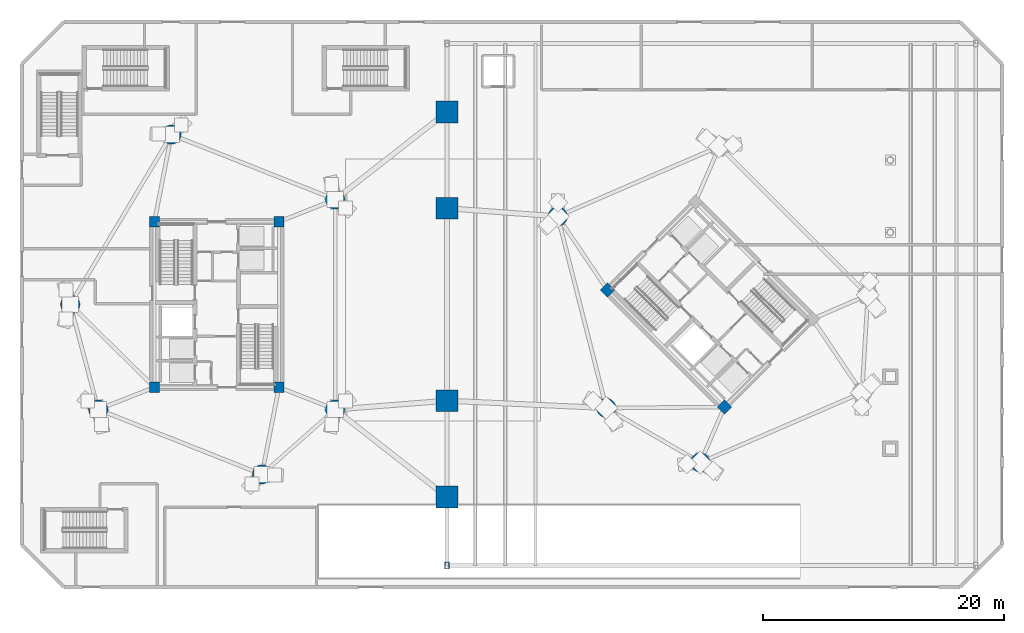
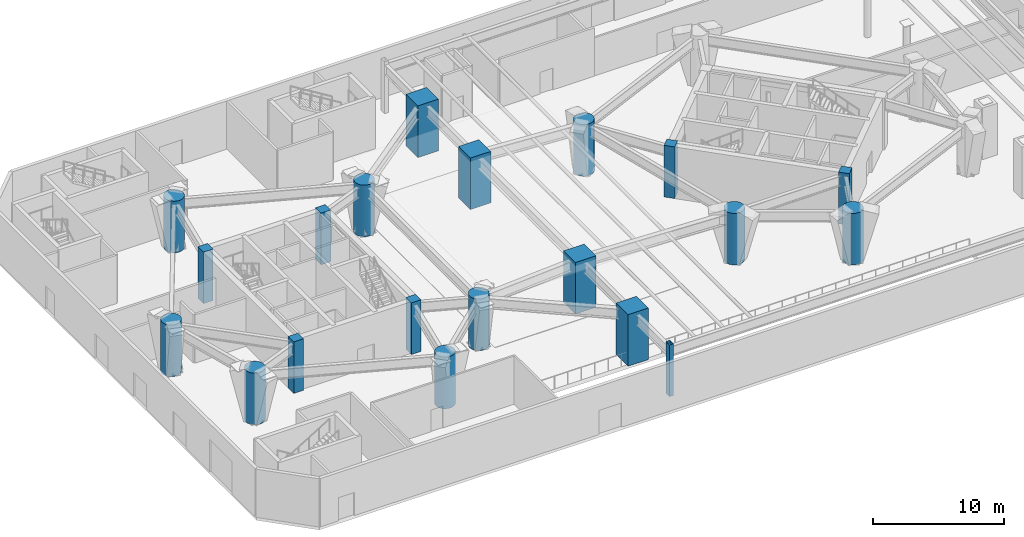
# One storey, part 1 of 17: 20 columns.
"""IFC4 building model written with IfcOpenShell, lengths in metres."""

from ifc_helpers import new_model, si_unit, direction, frame, origin, origin_2d, place, context, subcontext, project, spatial, rectangle, hollow_rectangle, circle, extrude, material, material_profile, profile_set, type_object, element, save


model = new_model("IFC4")

# Units and contexts
model_context = context("Model", 3, precision=1e-05, world=origin(), true_north=direction((0.0, 1.0)))
body_context = subcontext(model_context, "Body", "Model", "MODEL_VIEW")
ifc_project = project(units=[si_unit("LENGTHUNIT", "METRE"), si_unit("AREAUNIT", "SQUARE_METRE"), si_unit("VOLUMEUNIT", "CUBIC_METRE"), si_unit("PLANEANGLEUNIT", "RADIAN"), si_unit("MASSUNIT", "GRAM", prefix="KILO")], contexts=[model_context])

# Site, building, storey
site_placement = place(None, origin())
site = spatial("IfcSite", under=ifc_project, at=site_placement, CompositionType="ELEMENT")
building_placement = place(site_placement, origin())
building = spatial("IfcBuilding", under=site, at=building_placement, Name="Cununo Teusaquillo Station Towers", CompositionType="ELEMENT")
storey_placement = place(building_placement, origin())
storey = spatial("IfcBuildingStorey", under=building, at=storey_placement, Name="L00", CompositionType="ELEMENT", Elevation=0.0)

# Columns
ifc_material_1 = material(Name="Concrete C50/60", Category="concrete")
ifc_material_profile_1 = material_profile(ifc_material_1, rectangle(XDim=0.85009765625, YDim=0.85009765625, at=origin_2d()), Name="RC-RECT-850x850")
ifc_profile_set_1 = profile_set([ifc_material_profile_1], Name="Concrete C50/60")
column_type_1 = type_object("IfcColumnType", Name="COL-CORE-Z1", PredefinedType="COLUMN", material=ifc_profile_set_1)
for number, where, z_axis, x_axis, name in (
    (1, (11.324951171875, 17.6201171875, 0.0), (0.0, 0.0, 1.0), (1.0, 0.0, 0.0), "L00 Tower A Core Column 1"),
    (2, (11.324951171875, 31.3798828125, 0.0), (0.0, 0.0, 1.0), (1.0, 0.0, 0.0), "L00 Tower A Core Column 2"),
    (3, (21.675048828125, 17.6201171875, 0.0), (0.0, 0.0, 1.0), (1.0, 0.0, 0.0), "L00 Tower A Core Column 3"),
    (4, (21.675048828125, 31.3798828125, 0.0), (0.0, 0.0, 1.0), (1.0, 0.0, 0.0), "L00 Tower A Core Column 4"),
    (5, (58.70556640625, 15.975830078125, 0.0), (0.0, 0.0, 1.0), (0.707106781187, 0.707106781187, 0.0), "L00 Tower B Core Column 1"),
    (6, (48.975830078125, 25.70556640625, 0.0), (0.0, 0.0, 1.0), (0.707106781187, 0.707106781187, 0.0), "L00 Tower B Core Column 2"),
):
    element("IfcColumn", number, at=place(storey_placement, frame(where, z_axis=z_axis, x_axis=x_axis)), inside=storey, type_object=column_type_1, Name=name, PredefinedType="COLUMN", context=body_context, shape_type="SweptSolid", body=[
        extrude(rectangle(XDim=0.85009765625, YDim=0.85009765625, at=origin_2d()), origin(), (0.0, 0.0, 1.0), 4.800048828125),
    ])
ifc_material_2 = material(Name="Concrete C60/75", Category="concrete")
ifc_material_profile_2 = material_profile(ifc_material_2, circle(Radius=0.800048828125, at=origin_2d()), Name="RC-CIRC-1600")
ifc_profile_set_2 = profile_set([ifc_material_profile_2], Name="Concrete C60/75")
column_type_2 = type_object("IfcColumnType", Name="COL-MEGA-POD", PredefinedType="USERDEFINED", material=ifc_profile_set_2)
for number, where, z_axis, x_axis, name in (
    (7, (26.347412109375, 33.228515625, 0.0), (0.0, 0.0, 1.0), (1.0, 0.0, 0.0), "L00 Tower A Perimeter Column V02"),
    (8, (12.738525390625, 38.623291015625, 0.0), (0.0, 0.0, 1.0), (1.0, 0.0, 0.0), "L00 Tower A Perimeter Column V06"),
    (9, (4.327880859375, 24.5, 0.0), (0.0, 0.0, 1.0), (1.0, 0.0, 0.0), "L00 Tower A Perimeter Column V10"),
    (10, (6.652587890625, 15.771484375, 0.0), (0.0, 0.0, 1.0), (1.0, 0.0, 0.0), "L00 Tower A Perimeter Column V12"),
    (11, (20.261474609375, 10.376708984375, 0.0), (0.0, 0.0, 1.0), (1.0, 0.0, 0.0), "L00 Tower A Perimeter Column V16"),
    (12, (26.347412109375, 15.771484375, 0.0), (0.0, 0.0, 1.0), (1.0, 0.0, 0.0), "L00 Tower A Perimeter Column V18"),
    (13, (44.853759765625, 31.826904296875, 0.0), (0.0, 0.0, 1.0), (1.0, 0.0, 0.0), "L00 Tower B Perimeter Column V06"),
    (14, (48.89306640625, 15.89306640625, 0.0), (0.0, 0.0, 1.0), (1.0, 0.0, 0.0), "L00 Tower B Perimeter Column V10"),
    (15, (56.708984375, 11.36474609375, 0.0), (0.0, 0.0, 1.0), (1.0, 0.0, 0.0), "L00 Tower B Perimeter Column V12"),
):
    element("IfcColumn", number, at=place(storey_placement, frame(where, z_axis=z_axis, x_axis=x_axis)), inside=storey, type_object=column_type_2, Name=name, ObjectType="MEGA COLUMN", PredefinedType="USERDEFINED", context=body_context, shape_type="SweptSolid", body=[
        extrude(circle(Radius=0.800048828125, at=origin_2d()), origin(), (0.0, 0.0, 1.0), 4.800048828125),
    ])
ifc_material_3 = material(Name="Steel ASTM A572 Grade 50", Category="steel")
ifc_material_profile_3 = material_profile(ifc_material_3, hollow_rectangle(XDim=0.35009765625, YDim=0.550048828125, WallThickness=0.02197265625, at=origin_2d()), Name="RHS 550x350x22")
ifc_profile_set_3 = profile_set([ifc_material_profile_3], Name="Steel ASTM A572 Grade 50")
column_type_3 = type_object("IfcColumnType", Name="COL-PILASTER", PredefinedType="PILASTER", material=ifc_profile_set_3)
column_placement = place(storey_placement, frame((35.64990234375, 2.800048828125, 0.0), z_axis=(0.0, 0.0, 1.0), x_axis=(1.0, 0.0, 0.0)))
element("IfcColumn", 16, at=column_placement, inside=storey, type_object=column_type_3, Name="L00 Station Hall Pilaster PIL-SW", PredefinedType="PILASTER", context=body_context, shape_type="SweptSolid", body=[
    extrude(hollow_rectangle(XDim=0.35009765625, YDim=0.550048828125, WallThickness=0.02197265625, at=origin_2d()), origin(), (0.0, 0.0, 1.0), 4.800048828125),
])
ifc_material_4 = material(Name="Concrete C60/75", Category="concrete")
ifc_material_profile_4 = material_profile(ifc_material_4, rectangle(XDim=1.800048828125, YDim=1.800048828125, at=origin_2d()), Name="RC-RECT-1800x1800")
ifc_profile_set_4 = profile_set([ifc_material_profile_4], Name="Concrete C60/75")
column_type_4 = type_object("IfcColumnType", Name="COL-POD-MEGA", PredefinedType="USERDEFINED", material=ifc_profile_set_4)
for number, where, z_axis, x_axis, name in (
    (17, (35.64990234375, 8.5, 0.0), (0.0, 0.0, 1.0), (1.0, 0.0, 0.0), "L00 Station Mega-Column PMC-S"),
    (18, (35.64990234375, 16.5, 0.0), (0.0, 0.0, 1.0), (1.0, 0.0, 0.0), "L00 Station Mega-Column PMC-M1"),
    (19, (35.64990234375, 32.5, 0.0), (0.0, 0.0, 1.0), (1.0, 0.0, 0.0), "L00 Station Mega-Column PMC-M2"),
    (20, (35.64990234375, 40.5, 0.0), (0.0, 0.0, 1.0), (1.0, 0.0, 0.0), "L00 Station Mega-Column PMC-N"),
):
    element("IfcColumn", number, at=place(storey_placement, frame(where, z_axis=z_axis, x_axis=x_axis)), inside=storey, type_object=column_type_4, Name=name, ObjectType="MEGA COLUMN", PredefinedType="USERDEFINED", context=body_context, shape_type="SweptSolid", body=[
        extrude(rectangle(XDim=1.800048828125, YDim=1.800048828125, at=origin_2d()), origin(), (0.0, 0.0, 1.0), 4.800048828125),
    ])

save(model, "model.ifc")
